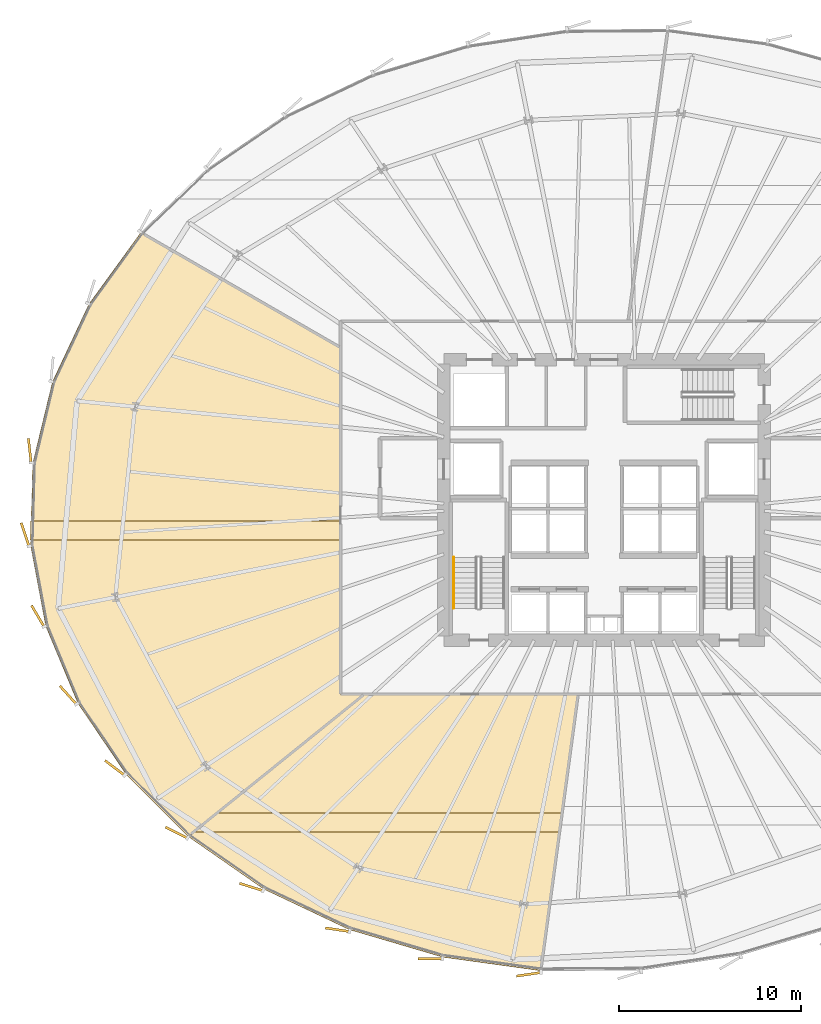
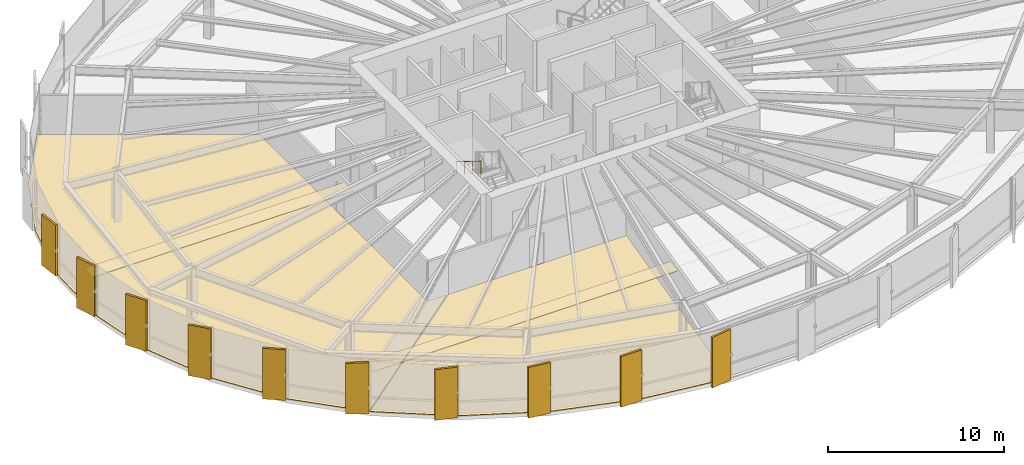
# One storey, part 33 of 37: 14 coverings, 1 railing.
"""IFC4 building model written with IfcOpenShell, lengths in metres."""

from ifc_helpers import new_model, si_unit, direction, frame, origin, origin_2d, place, context, subcontext, project, spatial, polyline, rectangle, circle, outline, extrude, source, transform, mapped, material, layer, layer_set, type_object, element, save


model = new_model("IFC4")

# Units and contexts
model_context = context("Model", 3, precision=1e-05, world=origin(), true_north=direction((0.0, 1.0)))
body_context = subcontext(model_context, "Body", "Model", "MODEL_VIEW")
ifc_project = project(units=[si_unit("LENGTHUNIT", "METRE"), si_unit("AREAUNIT", "SQUARE_METRE"), si_unit("VOLUMEUNIT", "CUBIC_METRE"), si_unit("PLANEANGLEUNIT", "RADIAN"), si_unit("MASSUNIT", "GRAM", prefix="KILO"), si_unit("THERMODYNAMICTEMPERATUREUNIT", "KELVIN")], contexts=[model_context])

# Site, building, storey
site_placement = place(None, origin())
site = spatial("IfcSite", under=ifc_project, at=site_placement, CompositionType="ELEMENT")
building_placement = place(site_placement, origin())
building = spatial("IfcBuilding", under=site, at=building_placement, Name="Kethvar Cultural Tower", CompositionType="ELEMENT")
storey_placement = place(building_placement, frame((0.0, 0.0, 48.60009765625)))
storey = spatial("IfcBuildingStorey", under=building, at=storey_placement, Name="L11", CompositionType="ELEMENT", Elevation=48.60009765625)

# Coverings
ifc_material_1 = material(Name="Acoustic Mineral Fibre Ceiling")
ifc_layer_1 = layer(ifc_material_1, 0.0400390625, Name="Acoustic Mineral Fibre Ceiling")
ifc_layer_set_1 = layer_set([ifc_layer_1], Name="Acoustic Mineral Fibre Ceiling (40 mm)")
covering_type_1 = type_object("IfcCoveringType", Name="CV-ACOUSTIC-CEIL", PredefinedType="CEILING", material=ifc_layer_set_1)
covering_1_placement = place(storey_placement, frame((0.0, 0.0, 2.449951171875)))
element("IfcCovering", 1, at=covering_1_placement, inside=storey, type_object=covering_type_1, Name="L11 Room 01 Acoustic Ceiling Panel", PredefinedType="CEILING", context=body_context, shape_type="SweptSolid", body=[
    extrude(outline(polyline([(25.55029296875, 10.60400390625), (44.513916015625, 10.60400390625), (44.375732421875, 9.573974609375), (24.279296875, 9.573974609375), (25.55029296875, 10.60400390625)])), origin(), (0.0, 0.0, 1.0), 0.0400390625),
])
covering_2_placement = place(storey_placement, frame((0.0, 0.0, 2.449951171875)))
element("IfcCovering", 2, at=covering_2_placement, inside=storey, type_object=covering_type_1, Name="L11 Room 07 Acoustic Ceiling Panel", PredefinedType="CEILING", context=body_context, shape_type="SweptSolid", body=[
    extrude(outline(polyline([(15.312744140625, 26.64453125), (32.35009765625, 26.64453125), (32.35009765625, 25.614501953125), (15.2841796875, 25.614501953125), (15.312744140625, 26.64453125)])), origin(), (0.0, 0.0, 1.0), 0.0400390625),
])
ifc_material_2 = material(Name="Honed Warm Limestone", Category="masonry")
ifc_layer_2 = layer(ifc_material_2, 0.030029296875, Name="Honed Warm Limestone", Category="masonry")
ifc_layer_set_2 = layer_set([ifc_layer_2], Name="Honed Warm Limestone (30 mm)")
covering_type_2 = type_object("IfcCoveringType", Name="CV-STONE-FLOOR", PredefinedType="FLOORING", material=ifc_layer_set_2)
covering_3_placement = place(storey_placement, origin())
element("IfcCovering", 3, at=covering_3_placement, inside=storey, type_object=covering_type_2, Name="L11 Room 01 Floor Finish", PredefinedType="FLOORING", context=body_context, shape_type="SweptSolid", body=[
    extrude(outline(polyline([(37.939208984375, 2.702880859375), (32.8154296875, 4.212890625), (28.11669921875, 6.439697265625), (24.00634765625, 9.301025390625), (33.654052734375, 17.1201171875), (45.347412109375, 17.1201171875), (43.31396484375, 1.9580078125), (37.939208984375, 2.702880859375)])), origin(), (0.0, 0.0, 1.0), 0.02978515625),
])
covering_4_placement = place(storey_placement, origin())
element("IfcCovering", 4, at=covering_4_placement, inside=storey, type_object=covering_type_2, Name="L11 Room 07 Floor Finish", PredefinedType="FLOORING", context=body_context, shape_type="SweptSolid", body=[
    extrude(outline(polyline([(20.54833984375, 12.75244140625), (17.90869140625, 16.646484375), (16.146728515625, 20.87939453125), (15.31591796875, 25.322265625), (15.44140625, 29.840087890625), (16.51953125, 34.29638671875), (18.517578125, 38.5556640625), (21.365478515625, 42.47509765625), (32.31005859375, 36.150390625), (32.31005859375, 17.137939453125), (33.590576171875, 17.1201171875), (23.974365234375, 9.32666015625), (20.54833984375, 12.75244140625)])), origin(), (0.0, 0.0, 1.0), 0.02978515625),
])

# Railing
ifc_material_3 = material(Name="Steel S355J2", Category="steel")
railing_type = type_object("IfcRailingType", Name="RL-STAIR-HANDRAIL", PredefinedType="HANDRAIL", material=ifc_material_3)
railing_placement = place(storey_placement, frame((38.5400390625, 24.64990234375, 2.072509765625)))
element("IfcRailing", 5, at=railing_placement, inside=storey, type_object=railing_type, Name="L11 ST-01 stair handrail 2", PredefinedType="HANDRAIL", context=body_context, shape_type="SweptSolid", body=[
    extrude(circle(Radius=0.02392578125, at=origin_2d()), frame((0.0, 0.0, 0.8759765625), z_axis=(0.0, -0.851069175582, 0.525053576669), x_axis=(1.0, 0.0, 0.0)), (0.0, 0.0, 1.0), 3.289794921875),
    extrude(circle(Radius=0.02099609375, at=origin_2d()), origin(), (0.0, 0.0, 1.0), 0.851806640625),
    extrude(circle(Radius=0.02099609375, at=origin_2d()), frame((0.0, -0.933349609375, 0.57568359375)), (0.0, 0.0, 1.0), 0.851806640625),
    extrude(circle(Radius=0.02099609375, at=origin_2d()), frame((0.0, -1.866455078125, 1.151611328125)), (0.0, 0.0, 1.0), 0.851806640625),
    extrude(circle(Radius=0.02099609375, at=origin_2d()), frame((0.0, -2.7998046875, 1.727294921875)), (0.0, 0.0, 1.0), 0.851806640625),
])

# Coverings
ifc_material_4 = material(Name="Extruded Architectural Terracotta", Category="masonry")
ifc_layer_3 = layer(ifc_material_4, 0.135009765625, Name="Extruded Architectural Terracotta", Category="masonry")
ifc_layer_set_3 = layer_set([ifc_layer_3], Name="Extruded Architectural Terracotta (135 mm)")
covering_type_3 = type_object("IfcCoveringType", Name="Terracotta Facade Fin FIN-01", PredefinedType="CLADDING", material=ifc_layer_set_3)
shared_shape = source(origin(), body_context, "Body", "SweptSolid", [
    extrude(rectangle(XDim=1.35009765625, YDim=0.135009765625, at=origin_2d()), origin(), (0.0, 0.0, 1.0), 3.510009765625),
])
for number, where, z_axis, x_axis, name in (
    (6, (15.26611328125, 30.515869140625, 0.02001953125), (0.0, 0.0, 1.0), (-0.11164237573, 0.993748449026, 0.0), "L11 Vertical Terracotta Fin 3.6"),
    (7, (15.009765625, 25.904052734375, 0.02001953125), (0.0, 0.0, 1.0), (-0.318793887648, 0.947824064475, 0.0), "L11 Vertical Terracotta Fin 4.1"),
    (8, (15.710205078125, 21.423828125, 0.02001953125), (0.0, 0.0, 1.0), (-0.50904141575, 0.860742027004, 0.0), "L11 Vertical Terracotta Fin 4.2"),
    (9, (17.3720703125, 17.0927734375, 0.02001953125), (0.0, 0.0, 1.0), (-0.670815024682, 0.741624704726, 0.0), "L11 Vertical Terracotta Fin 4.3"),
    (10, (19.937255859375, 13.08935546875, 0.02001953125), (0.0, 0.0, 1.0), (-0.798635510047, 0.601815023152, 0.0), "L11 Vertical Terracotta Fin 4.4"),
    (11, (23.324951171875, 9.538818359375, 0.02001953125), (0.0, 0.0, 1.0), (-0.892270829056, 0.451500573218, 0.0), "L11 Vertical Terracotta Fin 4.5"),
    (12, (27.427978515625, 6.55126953125, 0.02001953125), (0.0, 0.0, 1.0), (-0.954448865814, 0.298374534012, 0.0), "L11 Vertical Terracotta Fin 4.6"),
    (13, (32.158203125, 4.204345703125, 0.02001953125), (0.0, 0.0, 1.0), (-0.989221280098, 0.146428340844, 0.0), "L11 Vertical Terracotta Fin 5.1"),
    (14, (37.2490234375, 2.602783203125, 0.02001953125), (0.0, 0.0, 1.0), (-0.999998157065, -0.001919860998, 0.0), "L11 Vertical Terracotta Fin 5.2"),
    (15, (42.663818359375, 1.7568359375, 0.02001953125), (0.0, 0.0, 1.0), (-0.989272332963, -0.146083028562, 0.0), "L11 Vertical Terracotta Fin 5.3"),
):
    element("IfcCovering", number, at=place(storey_placement, frame(where, z_axis=z_axis, x_axis=x_axis)), inside=storey, type_object=covering_type_3, Name=name, PredefinedType="CLADDING", context=body_context, shape_type="MappedRepresentation", body=[
        mapped(shared_shape, transform((0.0, 0.0, 0.0), scale=1.0)),
    ])

save(model, "model.ifc")
